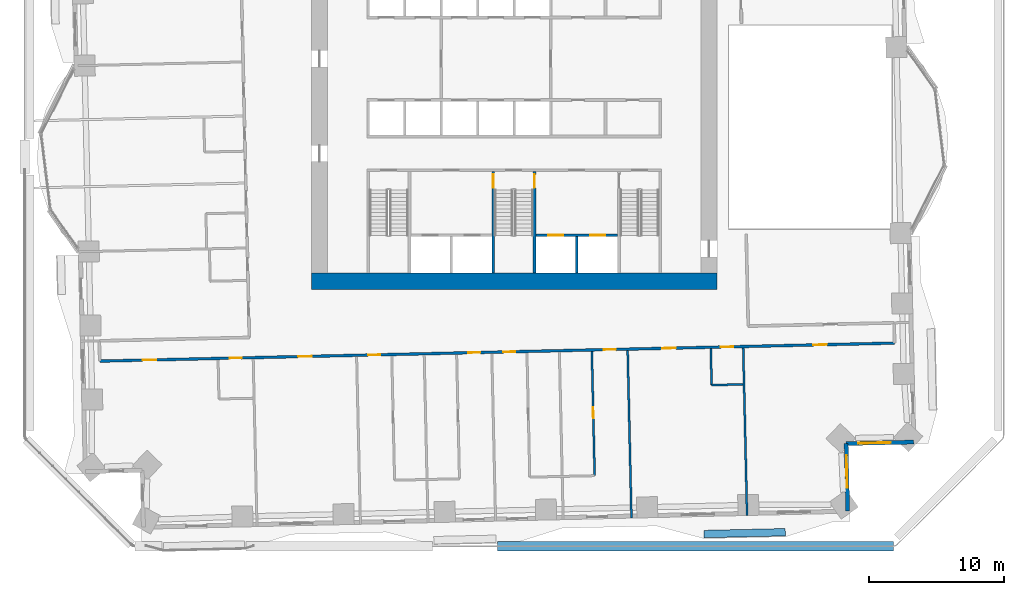
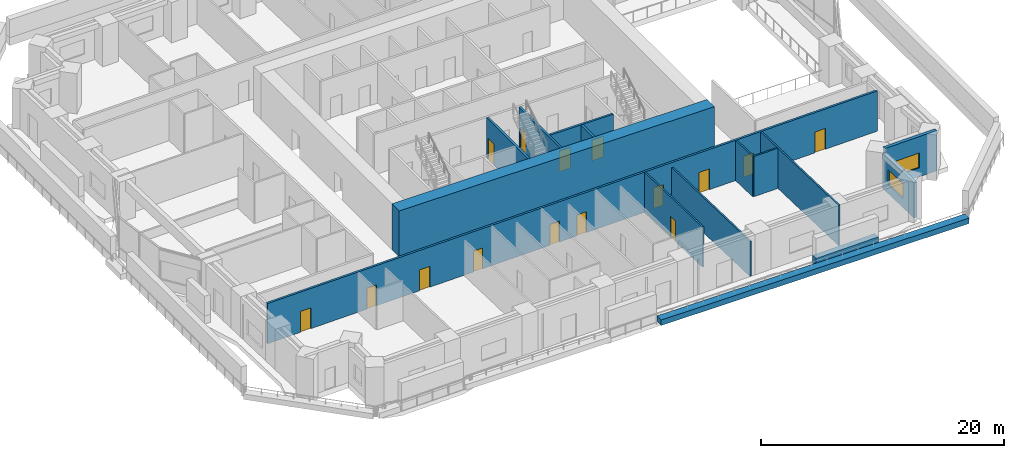
# One storey, part 12 of 21: 15 doors, 15 walls, 2 windows, 17 openings.
"""IFC4 building model written with IfcOpenShell, lengths in metres."""

from ifc_helpers import new_model, si_unit, direction, frame, frame_2d, origin, place, context, subcontext, project, spatial, rectangle, extrude, material, layer, layer_set, type_object, element, fill, save


model = new_model("IFC4")

# Units and contexts
model_context = context("Model", 3, precision=1e-05, world=origin(), true_north=direction((0.0, 1.0)))
body_context = subcontext(model_context, "Body", "Model", "MODEL_VIEW")
ifc_project = project(units=[si_unit("LENGTHUNIT", "METRE"), si_unit("AREAUNIT", "SQUARE_METRE"), si_unit("VOLUMEUNIT", "CUBIC_METRE"), si_unit("PLANEANGLEUNIT", "RADIAN"), si_unit("MASSUNIT", "GRAM", prefix="KILO")], contexts=[model_context])

# Site, building, storey
site_placement = place(None, origin())
site = spatial("IfcSite", under=ifc_project, at=site_placement, CompositionType="ELEMENT")
building_placement = place(site_placement, origin())
building = spatial("IfcBuilding", under=site, at=building_placement, Name="Mangrove Gate Tower", CompositionType="ELEMENT")
storey_placement = place(building_placement, frame((0.0, 0.0, 29.5)))
storey = spatial("IfcBuildingStorey", under=building, at=storey_placement, Name="L06", CompositionType="ELEMENT", Elevation=29.5)

# Wall, openings, doors
ifc_material_1 = material(Name="Concrete C70/85", Category="concrete")
ifc_layer_1 = layer(ifc_material_1, 0.199951171875)
ifc_layer_set_1 = layer_set([ifc_layer_1], Name="Core shaft wall 200 C70/85")
wall_type_1 = type_object("IfcWallType", Name="Core shaft wall 200 C70/85", PredefinedType="SHEAR", material=ifc_layer_set_1)
wall_1_placement = place(storey_placement, frame((1.60009765625, -8.0, 0.0), z_axis=(0.0, 0.0, 1.0), x_axis=(1.0, 0.0, 0.0)))
wall_1 = element("IfcWall", 1, at=wall_1_placement, inside=storey, type_object=wall_type_1, Name="WALL-L06-CORE-17", PredefinedType="SHEAR", context=body_context, shape_type="SweptSolid", body=[
    extrude(rectangle(XDim=6.0498046875, YDim=0.199951171875, at=frame_2d((3.02490234375, 0.0))), origin(), (0.0, 0.0, 1.0), 4.050048828125),
])
opening_1_placement = place(wall_1_placement, frame((0.91259765625, 0.0, 0.0)))
opening_1 = element("IfcOpeningElement", 2, at=opening_1_placement, cuts=wall_1, Name="Opening LD", PredefinedType="OPENING", context=body_context, shape_type="SweptSolid", body=[
    extrude(rectangle(XDim=1.10009765625, YDim=2.10009765625, at=frame_2d((0.550048828125, 1.050048828125))), frame((0.0, 0.10986328125, 0.0), z_axis=(0.0, -1.0, 0.0), x_axis=(1.0, 0.0, 0.0)), (0.0, 0.0, 1.0), 0.219970703125),
])
opening_2_placement = place(wall_1_placement, frame((4.03759765625, 0.0, 0.0)))
opening_2 = element("IfcOpeningElement", 3, at=opening_2_placement, cuts=wall_1, Name="Opening LD", PredefinedType="OPENING", context=body_context, shape_type="SweptSolid", body=[
    extrude(rectangle(XDim=1.10009765625, YDim=2.10009765625, at=frame_2d((0.550048828125, 1.050048828125))), frame((0.0, 0.10986328125, 0.0), z_axis=(0.0, -1.0, 0.0), x_axis=(1.0, 0.0, 0.0)), (0.0, 0.0, 1.0), 0.219970703125),
])
ifc_material_2 = material(Name="Stainless steel 316", Category="steel")
door_type_1 = type_object("IfcDoorType", Name="Lift landing door 1100x2100", OperationType="SLIDING_TO_LEFT", PredefinedType="DOOR", material=ifc_material_2)
door_1_placement = place(opening_1_placement, origin())
door_1 = element("IfcDoor", 4, at=door_1_placement, inside=storey, type_object=door_type_1, Name="Landing door LD FFL1", OperationType="SLIDING_TO_LEFT", OverallHeight=2.10009765625, OverallWidth=1.10009765625, PredefinedType="DOOR", context=body_context, shape_type="SweptSolid", body=[
    extrude(rectangle(XDim=1.10009765625, YDim=2.10009765625, at=frame_2d((0.550048828125, 1.050048828125))), frame((0.0, 0.02490234375, 0.0), z_axis=(0.0, -1.0, 0.0), x_axis=(1.0, 0.0, 0.0)), (0.0, 0.0, 1.0), 0.050048828125),
])
fill(opening_1, door_1)
door_2_placement = place(opening_2_placement, origin())
door_2 = element("IfcDoor", 5, at=door_2_placement, inside=storey, type_object=door_type_1, Name="Landing door LD FFL2", OperationType="SLIDING_TO_LEFT", OverallHeight=2.10009765625, OverallWidth=1.10009765625, PredefinedType="DOOR", context=body_context, shape_type="SweptSolid", body=[
    extrude(rectangle(XDim=1.10009765625, YDim=2.10009765625, at=frame_2d((0.550048828125, 1.050048828125))), frame((0.0, 0.02490234375, 0.0), z_axis=(0.0, -1.0, 0.0), x_axis=(1.0, 0.0, 0.0)), (0.0, 0.0, 1.0), 0.050048828125),
])
fill(opening_2, door_2)

# Wall
wall_2_placement = place(storey_placement, frame((4.625, -10.800048828125, 0.0), z_axis=(0.0, 0.0, 1.0), x_axis=(0.0, 1.0, 0.0)))
element("IfcWall", 6, at=wall_2_placement, inside=storey, type_object=wall_type_1, Name="WALL-L06-CORE-18", PredefinedType="SHEAR", context=body_context, shape_type="SweptSolid", body=[
    extrude(rectangle(XDim=2.699951171875, YDim=0.199951171875, at=frame_2d((1.35009765625, 0.0))), origin(), (0.0, 0.0, 1.0), 4.050048828125),
])

# Wall, opening, door
ifc_material_3 = material(Name="Concrete C70/85", Category="concrete")
ifc_layer_2 = layer(ifc_material_3, 0.199951171875)
ifc_layer_set_2 = layer_set([ifc_layer_2], Name="Core stair wall 200 C70/85")
wall_type_2 = type_object("IfcWallType", Name="Core stair wall 200 C70/85", PredefinedType="SHEAR", material=ifc_layer_set_2)
wall_3_placement = place(storey_placement, frame((-1.550048828125, -10.800048828125, 0.0), z_axis=(0.0, 0.0, 1.0), x_axis=(0.0, 1.0, 0.0)))
wall_3 = element("IfcWall", 7, at=wall_3_placement, inside=storey, type_object=wall_type_2, Name="WALL-L06-CORE-11", PredefinedType="SHEAR", context=body_context, shape_type="SweptSolid", body=[
    extrude(rectangle(XDim=7.5, YDim=0.199951171875, at=frame_2d((3.75, 0.0))), origin(), (0.0, 0.0, 1.0), 4.050048828125),
])
opening_3_placement = place(wall_3_placement, frame((6.300048828125, 0.0, 0.0)))
opening_3 = element("IfcOpeningElement", 8, at=opening_3_placement, cuts=wall_3, Name="Opening STD10", PredefinedType="OPENING", context=body_context, shape_type="SweptSolid", body=[
    extrude(rectangle(XDim=1.0, YDim=2.10009765625, at=frame_2d((0.5, 1.050048828125))), frame((0.0, 0.10986328125, 0.0), z_axis=(0.0, -1.0, 0.0), x_axis=(1.0, 0.0, 0.0)), (0.0, 0.0, 1.0), 0.219970703125),
])
ifc_material_4 = material(Name="Fire-rated steel door set", Category="steel")
door_type_2 = type_object("IfcDoorType", Name="Stair door FD60 1000x2100", OperationType="SINGLE_SWING_RIGHT", PredefinedType="DOOR", material=ifc_material_4)
door_3_placement = place(opening_3_placement, origin())
door_3 = element("IfcDoor", 9, at=door_3_placement, inside=storey, type_object=door_type_2, Name="Stair door Stair 2 from service lobby", OperationType="SINGLE_SWING_RIGHT", OverallHeight=2.10009765625, OverallWidth=1.0, PredefinedType="DOOR", context=body_context, shape_type="SweptSolid", body=[
    extrude(rectangle(XDim=1.0, YDim=2.10009765625, at=frame_2d((0.5, 1.050048828125))), frame((0.0, 0.02490234375, 0.0), z_axis=(0.0, -1.0, 0.0), x_axis=(1.0, 0.0, 0.0)), (0.0, 0.0, 1.0), 0.050048828125),
])
fill(opening_3, door_3)

wall_4_placement = place(storey_placement, frame((1.5, -10.800048828125, 0.0), z_axis=(0.0, 0.0, 1.0), x_axis=(0.0, 1.0, 0.0)))
wall_4 = element("IfcWall", 10, at=wall_4_placement, inside=storey, type_object=wall_type_2, Name="WALL-L06-CORE-12", PredefinedType="SHEAR", context=body_context, shape_type="SweptSolid", body=[
    extrude(rectangle(XDim=7.5, YDim=0.199951171875, at=frame_2d((3.75, 0.0))), origin(), (0.0, 0.0, 1.0), 4.050048828125),
])
opening_4_placement = place(wall_4_placement, frame((6.300048828125, 0.0, 0.0)))
opening_4 = element("IfcOpeningElement", 11, at=opening_4_placement, cuts=wall_4, Name="Opening STD10", PredefinedType="OPENING", context=body_context, shape_type="SweptSolid", body=[
    extrude(rectangle(XDim=1.0, YDim=2.10009765625, at=frame_2d((0.5, 1.050048828125))), frame((0.0, 0.10986328125, 0.0), z_axis=(0.0, -1.0, 0.0), x_axis=(1.0, 0.0, 0.0)), (0.0, 0.0, 1.0), 0.219970703125),
])
door_4_placement = place(opening_4_placement, origin())
door_4 = element("IfcDoor", 12, at=door_4_placement, inside=storey, type_object=door_type_2, Name="Stair door Stair 2 from fire-fighting lobby", OperationType="SINGLE_SWING_RIGHT", OverallHeight=2.10009765625, OverallWidth=1.0, PredefinedType="DOOR", context=body_context, shape_type="SweptSolid", body=[
    extrude(rectangle(XDim=1.0, YDim=2.10009765625, at=frame_2d((0.5, 1.050048828125))), frame((0.0, 0.02490234375, 0.0), z_axis=(0.0, -1.0, 0.0), x_axis=(1.0, 0.0, 0.0)), (0.0, 0.0, 1.0), 0.050048828125),
])
fill(opening_4, door_4)

# Wall
ifc_material_5 = material(Name="Concrete C70/85", Category="concrete")
ifc_layer_3 = layer(ifc_material_5, 1.199951171875)
ifc_layer_set_3 = layer_set([ifc_layer_3], Name="Core wall 1200 C70/85")
wall_type_3 = type_object("IfcWallType", Name="Core wall 1200 C70/85", PredefinedType="SHEAR", material=ifc_layer_set_3)
wall_5_placement = place(storey_placement, frame((-15.0, -11.39990234375, 0.0), z_axis=(0.0, 0.0, 1.0), x_axis=(1.0, 0.0, 0.0)))
element("IfcWall", 13, at=wall_5_placement, inside=storey, type_object=wall_type_3, Name="WALL-L06-CORE-1", PredefinedType="SHEAR", context=body_context, shape_type="SweptSolid", body=[
    extrude(rectangle(XDim=30.0, YDim=1.199951171875, at=frame_2d((15.0, 0.0))), origin(), (0.0, 0.0, 1.0), 4.60009765625),
])

# Wall, openings, doors
ifc_material_6 = material(Name="Gypsum board on steel stud, EI 60", Category="steel")
ifc_layer_4 = layer(ifc_material_6, 0.199951171875)
ifc_layer_set_4 = layer_set([ifc_layer_4], Name="Corridor wall EI 60")
wall_type_4 = type_object("IfcWallType", Name="Corridor wall EI 60", PredefinedType="PARTITIONING", material=ifc_layer_set_4)
wall_6_placement = place(storey_placement, frame((-30.652099609375, -17.31298828125, 0.0), z_axis=(0.0, 0.0, 1.0), x_axis=(0.999742623764, 0.02268669719, 0.0)))
wall_6 = element("IfcWall", 14, at=wall_6_placement, inside=storey, type_object=wall_type_4, Name="WALL-L06-018", PredefinedType="PARTITIONING", context=body_context, shape_type="SweptSolid", body=[
    extrude(rectangle(XDim=58.80029296875, YDim=0.199951171875, at=frame_2d((29.400146484375, 0.0))), origin(), (0.0, 0.0, 1.0), 4.050048828125),
])
opening_5_placement = place(wall_6_placement, frame((3.175048828125, 0.0, 0.0)))
opening_5 = element("IfcOpeningElement", 15, at=opening_5_placement, cuts=wall_6, Name="Opening AD", PredefinedType="OPENING", context=body_context, shape_type="SweptSolid", body=[
    extrude(rectangle(XDim=1.0, YDim=2.10009765625, at=frame_2d((0.5, 1.050048828125))), frame((0.0, 0.10986328125, 0.0), z_axis=(0.0, -1.0, 0.0), x_axis=(1.0, 0.0, 0.0)), (0.0, 0.0, 1.0), 0.219970703125),
])
opening_6_placement = place(wall_6_placement, frame((9.60009765625, 0.0, 0.0)))
opening_6 = element("IfcOpeningElement", 16, at=opening_6_placement, cuts=wall_6, Name="Opening SD", PredefinedType="OPENING", context=body_context, shape_type="SweptSolid", body=[
    extrude(rectangle(XDim=0.89990234375, YDim=2.10009765625, at=frame_2d((0.449951171875, 1.050048828125))), frame((0.0, 0.10986328125, 0.0), z_axis=(0.0, -1.0, 0.0), x_axis=(1.0, 0.0, 0.0)), (0.0, 0.0, 1.0), 0.219970703125),
])
opening_7_placement = place(wall_6_placement, frame((14.675048828125, 0.0, 0.0)))
opening_7 = element("IfcOpeningElement", 17, at=opening_7_placement, cuts=wall_6, Name="Opening AD", PredefinedType="OPENING", context=body_context, shape_type="SweptSolid", body=[
    extrude(rectangle(XDim=1.0, YDim=2.10009765625, at=frame_2d((0.5, 1.050048828125))), frame((0.0, 0.10986328125, 0.0), z_axis=(0.0, -1.0, 0.0), x_axis=(1.0, 0.0, 0.0)), (0.0, 0.0, 1.0), 0.219970703125),
])
opening_8_placement = place(wall_6_placement, frame((19.85009765625, 0.0, 0.0)))
opening_8 = element("IfcOpeningElement", 18, at=opening_8_placement, cuts=wall_6, Name="Opening BD", PredefinedType="OPENING", context=body_context, shape_type="SweptSolid", body=[
    extrude(rectangle(XDim=0.89990234375, YDim=2.10009765625, at=frame_2d((0.449951171875, 1.050048828125))), frame((0.0, 0.10986328125, 0.0), z_axis=(0.0, -1.0, 0.0), x_axis=(1.0, 0.0, 0.0)), (0.0, 0.0, 1.0), 0.219970703125),
])
opening_9_placement = place(wall_6_placement, frame((27.25, 0.0, 0.0)))
opening_9 = element("IfcOpeningElement", 19, at=opening_9_placement, cuts=wall_6, Name="Opening BD", PredefinedType="OPENING", context=body_context, shape_type="SweptSolid", body=[
    extrude(rectangle(XDim=0.89990234375, YDim=2.10009765625, at=frame_2d((0.449951171875, 1.050048828125))), frame((0.0, 0.10986328125, 0.0), z_axis=(0.0, -1.0, 0.0), x_axis=(1.0, 0.0, 0.0)), (0.0, 0.0, 1.0), 0.219970703125),
])
opening_10_placement = place(wall_6_placement, frame((29.85009765625, 0.0, 0.0)))
opening_10 = element("IfcOpeningElement", 20, at=opening_10_placement, cuts=wall_6, Name="Opening BD", PredefinedType="OPENING", context=body_context, shape_type="SweptSolid", body=[
    extrude(rectangle(XDim=0.89990234375, YDim=2.10009765625, at=frame_2d((0.449951171875, 1.050048828125))), frame((0.0, 0.10986328125, 0.0), z_axis=(0.0, -1.0, 0.0), x_axis=(1.0, 0.0, 0.0)), (0.0, 0.0, 1.0), 0.219970703125),
])
opening_11_placement = place(wall_6_placement, frame((37.27490234375, 0.0, 0.0)))
opening_11 = element("IfcOpeningElement", 21, at=opening_11_placement, cuts=wall_6, Name="Opening BD", PredefinedType="OPENING", context=body_context, shape_type="SweptSolid", body=[
    extrude(rectangle(XDim=0.89990234375, YDim=2.10009765625, at=frame_2d((0.449951171875, 1.050048828125))), frame((0.0, 0.10986328125, 0.0), z_axis=(0.0, -1.0, 0.0), x_axis=(1.0, 0.0, 0.0)), (0.0, 0.0, 1.0), 0.219970703125),
])
opening_12_placement = place(wall_6_placement, frame((41.625, 0.0, 0.0)))
opening_12 = element("IfcOpeningElement", 22, at=opening_12_placement, cuts=wall_6, Name="Opening AD", PredefinedType="OPENING", context=body_context, shape_type="SweptSolid", body=[
    extrude(rectangle(XDim=1.0, YDim=2.10009765625, at=frame_2d((0.5, 1.050048828125))), frame((0.0, 0.10986328125, 0.0), z_axis=(0.0, -1.0, 0.0), x_axis=(1.0, 0.0, 0.0)), (0.0, 0.0, 1.0), 0.219970703125),
])
opening_13_placement = place(wall_6_placement, frame((45.949951171875, 0.0, 0.0)))
opening_13 = element("IfcOpeningElement", 23, at=opening_13_placement, cuts=wall_6, Name="Opening SD", PredefinedType="OPENING", context=body_context, shape_type="SweptSolid", body=[
    extrude(rectangle(XDim=0.89990234375, YDim=2.10009765625, at=frame_2d((0.449951171875, 1.050048828125))), frame((0.0, 0.10986328125, 0.0), z_axis=(0.0, -1.0, 0.0), x_axis=(1.0, 0.0, 0.0)), (0.0, 0.0, 1.0), 0.219970703125),
])
opening_14_placement = place(wall_6_placement, frame((52.781982421875, 0.0, 0.0)))
opening_14 = element("IfcOpeningElement", 24, at=opening_14_placement, cuts=wall_6, Name="Opening AD", PredefinedType="OPENING", context=body_context, shape_type="SweptSolid", body=[
    extrude(rectangle(XDim=1.0, YDim=2.10009765625, at=frame_2d((0.5, 1.050048828125))), frame((0.0, 0.10986328125, 0.0), z_axis=(0.0, -1.0, 0.0), x_axis=(1.0, 0.0, 0.0)), (0.0, 0.0, 1.0), 0.219970703125),
])
ifc_material_7 = material(Name="Timber door leaf", Category="wood")
door_type_3 = type_object("IfcDoorType", Name="Amenity door 1000", OperationType="SINGLE_SWING_LEFT", PredefinedType="DOOR", material=ifc_material_7)
door_5_placement = place(opening_5_placement, origin())
door_5 = element("IfcDoor", 25, at=door_5_placement, inside=storey, type_object=door_type_3, Name="DOOR-L06-LNG-c1a", OperationType="SINGLE_SWING_LEFT", OverallHeight=2.10009765625, OverallWidth=1.0, PredefinedType="DOOR", context=body_context, shape_type="SweptSolid", body=[
    extrude(rectangle(XDim=1.0, YDim=2.10009765625, at=frame_2d((0.5, 1.050048828125))), frame((0.0, 0.02490234375, 0.0), z_axis=(0.0, -1.0, 0.0), x_axis=(1.0, 0.0, 0.0)), (0.0, 0.0, 1.0), 0.050048828125),
])
fill(opening_5, door_5)
door_6_placement = place(opening_7_placement, origin())
door_6 = element("IfcDoor", 26, at=door_6_placement, inside=storey, type_object=door_type_3, Name="DOOR-L06-GAM-c1a", OperationType="SINGLE_SWING_RIGHT", OverallHeight=2.10009765625, OverallWidth=1.0, PredefinedType="DOOR", context=body_context, shape_type="SweptSolid", body=[
    extrude(rectangle(XDim=1.0, YDim=2.10009765625, at=frame_2d((0.5, 1.050048828125))), frame((0.0, 0.02490234375, 0.0), z_axis=(0.0, -1.0, 0.0), x_axis=(1.0, 0.0, 0.0)), (0.0, 0.0, 1.0), 0.050048828125),
])
fill(opening_7, door_6)
door_7_placement = place(opening_12_placement, origin())
door_7 = element("IfcDoor", 27, at=door_7_placement, inside=storey, type_object=door_type_3, Name="DOOR-L06-LNG-c3a", OperationType="SINGLE_SWING_LEFT", OverallHeight=2.10009765625, OverallWidth=1.0, PredefinedType="DOOR", context=body_context, shape_type="SweptSolid", body=[
    extrude(rectangle(XDim=1.0, YDim=2.10009765625, at=frame_2d((0.5, 1.050048828125))), frame((0.0, 0.02490234375, 0.0), z_axis=(0.0, -1.0, 0.0), x_axis=(1.0, 0.0, 0.0)), (0.0, 0.0, 1.0), 0.050048828125),
])
fill(opening_12, door_7)
door_8_placement = place(opening_14_placement, origin())
door_8 = element("IfcDoor", 28, at=door_8_placement, inside=storey, type_object=door_type_3, Name="DOOR-L06-GAM-c3a", OperationType="SINGLE_SWING_RIGHT", OverallHeight=2.10009765625, OverallWidth=1.0, PredefinedType="DOOR", context=body_context, shape_type="SweptSolid", body=[
    extrude(rectangle(XDim=1.0, YDim=2.10009765625, at=frame_2d((0.5, 1.050048828125))), frame((0.0, 0.02490234375, 0.0), z_axis=(0.0, -1.0, 0.0), x_axis=(1.0, 0.0, 0.0)), (0.0, 0.0, 1.0), 0.050048828125),
])
fill(opening_14, door_8)
ifc_material_8 = material(Name="Timber door leaf", Category="wood")
door_type_4 = type_object("IfcDoorType", Name="Bedroom door 900", OperationType="SINGLE_SWING_LEFT", PredefinedType="DOOR", material=ifc_material_8)
door_9_placement = place(opening_8_placement, origin())
door_9 = element("IfcDoor", 29, at=door_9_placement, inside=storey, type_object=door_type_4, Name="DOOR-L06-BED-c101", OperationType="SINGLE_SWING_LEFT", OverallHeight=2.10009765625, OverallWidth=0.89990234375, PredefinedType="DOOR", context=body_context, shape_type="SweptSolid", body=[
    extrude(rectangle(XDim=0.89990234375, YDim=2.10009765625, at=frame_2d((0.449951171875, 1.050048828125))), frame((0.0, 0.02490234375, 0.0), z_axis=(0.0, -1.0, 0.0), x_axis=(1.0, 0.0, 0.0)), (0.0, 0.0, 1.0), 0.050048828125),
])
fill(opening_8, door_9)
door_10_placement = place(opening_9_placement, origin())
door_10 = element("IfcDoor", 30, at=door_10_placement, inside=storey, type_object=door_type_4, Name="DOOR-L06-BED-c102", OperationType="SINGLE_SWING_RIGHT", OverallHeight=2.10009765625, OverallWidth=0.89990234375, PredefinedType="DOOR", context=body_context, shape_type="SweptSolid", body=[
    extrude(rectangle(XDim=0.89990234375, YDim=2.10009765625, at=frame_2d((0.449951171875, 1.050048828125))), frame((0.0, 0.02490234375, 0.0), z_axis=(0.0, -1.0, 0.0), x_axis=(1.0, 0.0, 0.0)), (0.0, 0.0, 1.0), 0.050048828125),
])
fill(opening_9, door_10)
door_11_placement = place(opening_10_placement, origin())
door_11 = element("IfcDoor", 31, at=door_11_placement, inside=storey, type_object=door_type_4, Name="DOOR-L06-BED-c203", OperationType="SINGLE_SWING_LEFT", OverallHeight=2.10009765625, OverallWidth=0.89990234375, PredefinedType="DOOR", context=body_context, shape_type="SweptSolid", body=[
    extrude(rectangle(XDim=0.89990234375, YDim=2.10009765625, at=frame_2d((0.449951171875, 1.050048828125))), frame((0.0, 0.02490234375, 0.0), z_axis=(0.0, -1.0, 0.0), x_axis=(1.0, 0.0, 0.0)), (0.0, 0.0, 1.0), 0.050048828125),
])
fill(opening_10, door_11)
door_12_placement = place(opening_11_placement, origin())
door_12 = element("IfcDoor", 32, at=door_12_placement, inside=storey, type_object=door_type_4, Name="DOOR-L06-BED-c204", OperationType="SINGLE_SWING_RIGHT", OverallHeight=2.10009765625, OverallWidth=0.89990234375, PredefinedType="DOOR", context=body_context, shape_type="SweptSolid", body=[
    extrude(rectangle(XDim=0.89990234375, YDim=2.10009765625, at=frame_2d((0.449951171875, 1.050048828125))), frame((0.0, 0.02490234375, 0.0), z_axis=(0.0, -1.0, 0.0), x_axis=(1.0, 0.0, 0.0)), (0.0, 0.0, 1.0), 0.050048828125),
])
fill(opening_11, door_12)
ifc_material_9 = material(Name="Timber door leaf", Category="wood")
door_type_5 = type_object("IfcDoorType", Name="Service room door 900", OperationType="SINGLE_SWING_LEFT", PredefinedType="DOOR", material=ifc_material_9)
door_13_placement = place(opening_6_placement, origin())
door_13 = element("IfcDoor", 33, at=door_13_placement, inside=storey, type_object=door_type_5, Name="DOOR-L06-AWC-c1a", OperationType="SINGLE_SWING_LEFT", OverallHeight=2.10009765625, OverallWidth=0.89990234375, PredefinedType="DOOR", context=body_context, shape_type="SweptSolid", body=[
    extrude(rectangle(XDim=0.89990234375, YDim=2.10009765625, at=frame_2d((0.449951171875, 1.050048828125))), frame((0.0, 0.02490234375, 0.0), z_axis=(0.0, -1.0, 0.0), x_axis=(1.0, 0.0, 0.0)), (0.0, 0.0, 1.0), 0.050048828125),
])
fill(opening_6, door_13)
door_14_placement = place(opening_13_placement, origin())
door_14 = element("IfcDoor", 34, at=door_14_placement, inside=storey, type_object=door_type_5, Name="DOOR-L06-WC-c3a", OperationType="SINGLE_SWING_RIGHT", OverallHeight=2.10009765625, OverallWidth=0.89990234375, PredefinedType="DOOR", context=body_context, shape_type="SweptSolid", body=[
    extrude(rectangle(XDim=0.89990234375, YDim=2.10009765625, at=frame_2d((0.449951171875, 1.050048828125))), frame((0.0, 0.02490234375, 0.0), z_axis=(0.0, -1.0, 0.0), x_axis=(1.0, 0.0, 0.0)), (0.0, 0.0, 1.0), 0.050048828125),
])
fill(opening_13, door_14)

# Wall, opening, window
ifc_material_10 = material(Name="Limestone", Category="masonry")
ifc_layer_5 = layer(ifc_material_10, 0.0400390625, Name="Limestone cladding")
ifc_material_11 = material(Name="Ventilated air gap")
ifc_layer_6 = layer(ifc_material_11, 0.0400390625, Name="Ventilated cavity")
ifc_material_12 = material(Name="Mineral wool insulation")
ifc_layer_7 = layer(ifc_material_12, 0.06005859375, Name="Insulation")
ifc_material_13 = material(Name="Breather membrane")
ifc_layer_8 = layer(ifc_material_13, 0.001953125, Name="Breather membrane")
ifc_material_14 = material(Name="Concrete C20/25 blockwork", Category="masonry")
ifc_layer_9 = layer(ifc_material_14, 0.14990234375, Name="Blockwork backing wall")
ifc_material_15 = material(Name="Gypsum plaster")
ifc_layer_10 = layer(ifc_material_15, 0.008056640625, Name="Internal plaster")
ifc_layer_set_5 = layer_set([ifc_layer_5, ifc_layer_6, ifc_layer_7, ifc_layer_8, ifc_layer_9, ifc_layer_10], Name="External wall 300 limestone cladding")
wall_type_5 = type_object("IfcWallType", Name="External wall 300 limestone cladding", PredefinedType="SOLIDWALL", material=ifc_layer_set_5)
wall_7_placement = place(storey_placement, frame((24.6640625, -28.410888671875, 0.0), z_axis=(0.0, 0.0, 1.0), x_axis=(-0.022802372469, 0.999739992103, 0.0)))
wall_7 = element("IfcWall", 35, at=wall_7_placement, inside=storey, type_object=wall_type_5, Name="WALL-L06-E14", PredefinedType="SOLIDWALL", context=body_context, shape_type="SweptSolid", body=[
    extrude(rectangle(XDim=5.0, YDim=0.300048828125, at=frame_2d((2.5, 0.0))), origin(), (0.0, 0.0, 1.0), 3.550048828125),
])
opening_15_placement = place(wall_7_placement, frame((1.735107421875, 0.0, 0.89990234375)))
opening_15 = element("IfcOpeningElement", 36, at=opening_15_placement, cuts=wall_7, Name="Opening W2", PredefinedType="OPENING", context=body_context, shape_type="SweptSolid", body=[
    extrude(rectangle(XDim=2.39990234375, YDim=1.5, at=frame_2d((1.199951171875, 0.75))), frame((0.0, 0.159912109375, 0.0), z_axis=(0.0, -1.0, 0.0), x_axis=(1.0, 0.0, 0.0)), (0.0, 0.0, 1.0), 0.320068359375),
])
ifc_material_16 = material(Name="Aluminium frame with double-glazed low-e glass", Category="aluminium")
window_type = type_object("IfcWindowType", Name="Corner room window 2400x1500", PartitioningType="DOUBLE_PANEL_VERTICAL", PredefinedType="WINDOW", material=ifc_material_16)
window_1_placement = place(opening_15_placement, origin())
window_1 = element("IfcWindow", 37, at=window_1_placement, inside=storey, type_object=window_type, Name="WIN-L06-E14-1", OverallHeight=1.5, OverallWidth=2.39990234375, PartitioningType="DOUBLE_PANEL_VERTICAL", PredefinedType="WINDOW", context=body_context, shape_type="SweptSolid", body=[
    extrude(rectangle(XDim=2.39990234375, YDim=1.5, at=frame_2d((1.199951171875, 0.75))), frame((0.0, 0.030029296875, 0.0), z_axis=(0.0, -1.0, 0.0), x_axis=(1.0, 0.0, 0.0)), (0.0, 0.0, 1.0), 0.06005859375),
])
fill(opening_15, window_1)

wall_8_placement = place(storey_placement, frame((24.550048828125, -23.412109375, 0.0), z_axis=(0.0, 0.0, 1.0), x_axis=(0.999744450377, 0.022606059803, 0.0)))
wall_8 = element("IfcWall", 38, at=wall_8_placement, inside=storey, type_object=wall_type_5, Name="WALL-L06-S15", PredefinedType="SOLIDWALL", context=body_context, shape_type="SweptSolid", body=[
    extrude(rectangle(XDim=5.000244140625, YDim=0.300048828125, at=frame_2d((2.5, 0.0))), origin(), (0.0, 0.0, 1.0), 4.050048828125),
])
opening_16_placement = place(wall_8_placement, frame((0.89697265625, 0.0, 0.89990234375)))
opening_16 = element("IfcOpeningElement", 39, at=opening_16_placement, cuts=wall_8, Name="Opening W2", PredefinedType="OPENING", context=body_context, shape_type="SweptSolid", body=[
    extrude(rectangle(XDim=2.39990234375, YDim=1.5, at=frame_2d((1.199951171875, 0.75))), frame((0.0, 0.159912109375, 0.0), z_axis=(0.0, -1.0, 0.0), x_axis=(1.0, 0.0, 0.0)), (0.0, 0.0, 1.0), 0.320068359375),
])
window_2_placement = place(opening_16_placement, origin())
window_2 = element("IfcWindow", 40, at=window_2_placement, inside=storey, type_object=window_type, Name="WIN-L06-S15-1", OverallHeight=1.5, OverallWidth=2.39990234375, PartitioningType="DOUBLE_PANEL_VERTICAL", PredefinedType="WINDOW", context=body_context, shape_type="SweptSolid", body=[
    extrude(rectangle(XDim=2.39990234375, YDim=1.5, at=frame_2d((1.199951171875, 0.75))), frame((0.0, 0.030029296875, 0.0), z_axis=(0.0, -1.0, 0.0), x_axis=(1.0, 0.0, 0.0)), (0.0, 0.0, 1.0), 0.06005859375),
])
fill(opening_16, window_2)

# Walls
ifc_material_17 = material(Name="Gypsum board on steel stud, EI 60", Category="steel")
ifc_layer_11 = layer(ifc_material_17, 0.14990234375)
ifc_layer_set_6 = layer_set([ifc_layer_11], Name="Party wall 150 EI 60")
wall_type_6 = type_object("IfcWallType", Name="Party wall 150 EI 60", PredefinedType="PARTITIONING", material=ifc_layer_set_6)
wall_9_placement = place(storey_placement, frame((8.6708984375, -28.924072265625, 0.0), z_axis=(0.0, 0.0, 1.0), x_axis=(-0.022661475803, 0.999743195783, 0.0)))
element("IfcWall", 41, at=wall_9_placement, inside=storey, type_object=wall_type_6, Name="WALL-L06-006", PredefinedType="PARTITIONING", context=body_context, shape_type="SweptSolid", body=[
    extrude(rectangle(XDim=12.400146484375, YDim=0.14990234375, at=frame_2d((6.2001953125, 0.0))), origin(), (0.0, 0.0, 1.0), 3.550048828125),
])
wall_10_placement = place(storey_placement, frame((17.218994140625, -28.72998046875, 0.0), z_axis=(0.0, 0.0, 1.0), x_axis=(-0.022661475803, 0.999743195783, 0.0)))
element("IfcWall", 42, at=wall_10_placement, inside=storey, type_object=wall_type_6, Name="WALL-L06-007", PredefinedType="PARTITIONING", context=body_context, shape_type="SweptSolid", body=[
    extrude(rectangle(XDim=12.400146484375, YDim=0.14990234375, at=frame_2d((6.2001953125, 0.0))), origin(), (0.0, 0.0, 1.0), 4.050048828125),
])

# Wall, opening, door
wall_11_placement = place(storey_placement, frame((5.949951171875, -25.784912109375, 0.0), z_axis=(0.0, 0.0, 1.0), x_axis=(-0.02271477479, 0.999741986218, 0.0)))
wall_11 = element("IfcWall", 43, at=wall_11_placement, inside=storey, type_object=wall_type_6, Name="WALL-L06-013", PredefinedType="PARTITIONING", context=body_context, shape_type="SweptSolid", body=[
    extrude(rectangle(XDim=9.200439453125, YDim=0.14990234375, at=frame_2d((4.60009765625, 0.0))), origin(), (0.0, 0.0, 1.0), 4.050048828125),
])
opening_17_placement = place(wall_11_placement, frame((4.25, 0.0, 0.0)))
opening_17 = element("IfcOpeningElement", 44, at=opening_17_placement, cuts=wall_11, Name="Opening ED", PredefinedType="OPENING", context=body_context, shape_type="SweptSolid", body=[
    extrude(rectangle(XDim=0.800048828125, YDim=2.10009765625, at=frame_2d((0.39990234375, 1.050048828125))), frame((0.0, 0.0849609375, 0.0), z_axis=(0.0, -1.0, 0.0), x_axis=(1.0, 0.0, 0.0)), (0.0, 0.0, 1.0), 0.169921875),
])
ifc_material_18 = material(Name="Timber door leaf", Category="wood")
door_type_6 = type_object("IfcDoorType", Name="En-suite door 800", OperationType="SINGLE_SWING_LEFT", PredefinedType="DOOR", material=ifc_material_18)
door_15_placement = place(opening_17_placement, origin())
door_15 = element("IfcDoor", 45, at=door_15_placement, inside=storey, type_object=door_type_6, Name="DOOR-L06-ENS-c204", OperationType="SINGLE_SWING_RIGHT", OverallHeight=2.10009765625, OverallWidth=0.800048828125, PredefinedType="DOOR", context=body_context, shape_type="SweptSolid", body=[
    extrude(rectangle(XDim=0.800048828125, YDim=2.10009765625, at=frame_2d((0.39990234375, 1.050048828125))), frame((0.0, 0.02490234375, 0.0), z_axis=(0.0, -1.0, 0.0), x_axis=(1.0, 0.0, 0.0)), (0.0, 0.0, 1.0), 0.050048828125),
])
fill(opening_17, door_15)

# Walls
wall_12_placement = place(storey_placement, frame((14.60009765625, -19.0869140625, 0.0), z_axis=(0.0, 0.0, 1.0), x_axis=(0.999740260747, 0.02279059109, 0.0)))
element("IfcWall", 46, at=wall_12_placement, inside=storey, type_object=wall_type_6, Name="WALL-L06-016", PredefinedType="PARTITIONING", context=body_context, shape_type="SweptSolid", body=[
    extrude(rectangle(XDim=2.324462890625, YDim=0.14990234375, at=frame_2d((1.162109375, 0.0))), origin(), (0.0, 0.0, 1.0), 4.050048828125),
])
wall_13_placement = place(storey_placement, frame((14.60009765625, -19.0869140625, 0.0), z_axis=(0.0, 0.0, 1.0), x_axis=(-0.02260842146, 0.999744396973, 0.0)))
element("IfcWall", 47, at=wall_13_placement, inside=storey, type_object=wall_type_6, Name="WALL-L06-017", PredefinedType="PARTITIONING", context=body_context, shape_type="SweptSolid", body=[
    extrude(rectangle(XDim=2.69970703125, YDim=0.14990234375, at=frame_2d((1.349853515625, 0.0))), origin(), (0.0, 0.0, 1.0), 4.050048828125),
])
ifc_material_19 = material(Name="Concrete C32/40", Category="concrete")
ifc_layer_12 = layer(ifc_material_19, 0.199951171875, Name="Planter trough wall")
ifc_material_20 = material(Name="Bituminous waterproofing membrane")
ifc_layer_13 = layer(ifc_material_20, 0.0048828125, Name="Waterproofing")
ifc_material_21 = material(Name="Drainage board and gravel")
ifc_layer_14 = layer(ifc_material_21, 0.044921875, Name="Drainage layer")
ifc_material_22 = material(Name="Planting soil")
ifc_layer_15 = layer(ifc_material_22, 0.300048828125, Name="Growing medium")
ifc_layer_set_7 = layer_set([ifc_layer_12, ifc_layer_13, ifc_layer_14, ifc_layer_15], Name="Planter wall 550 C32/40")
wall_type_7 = type_object("IfcWallType", Name="Planter wall 550 C32/40", PredefinedType="USERDEFINED", material=ifc_layer_set_7)
wall_14_placement = place(storey_placement, frame((14.049072265625, -30.10205078125, 0.0), z_axis=(0.0, 0.0, 1.0), x_axis=(0.999743178102, 0.022662255828, 0.0)))
element("IfcWall", 48, at=wall_14_placement, inside=storey, type_object=wall_type_7, Name="PLANTER L06 S1.1", ObjectType="PLANTER", PredefinedType="USERDEFINED", context=body_context, shape_type="SweptSolid", body=[
    extrude(rectangle(XDim=6.00048828125, YDim=0.550048828125, at=frame_2d((3.000244140625, 0.0))), origin(), (0.0, 0.0, 1.0), 0.800048828125),
])
ifc_layer_16 = layer(ifc_material_10, 0.699951171875, Name="Limestone cornice course")
ifc_layer_set_8 = layer_set([ifc_layer_16], Name="Podium cornice 700 limestone")
wall_type_8 = type_object("IfcWallType", Name="Podium cornice 700 limestone", PredefinedType="STANDARD", material=ifc_layer_set_8)
wall_15_placement = place(storey_placement, frame((-1.239990234375, -31.0, 0.0), z_axis=(0.0, 0.0, 1.0), x_axis=(1.0, 0.0, 0.0)))
element("IfcWall", 49, at=wall_15_placement, inside=storey, type_object=wall_type_8, Name="Podium cornice S 4", PredefinedType="STANDARD", context=body_context, shape_type="SweptSolid", body=[
    extrude(rectangle(XDim=29.294921875, YDim=0.699951171875, at=frame_2d((14.6474609375, 0.0))), origin(), (0.0, 0.0, 1.0), 0.550048828125),
])

save(model, "model.ifc")
